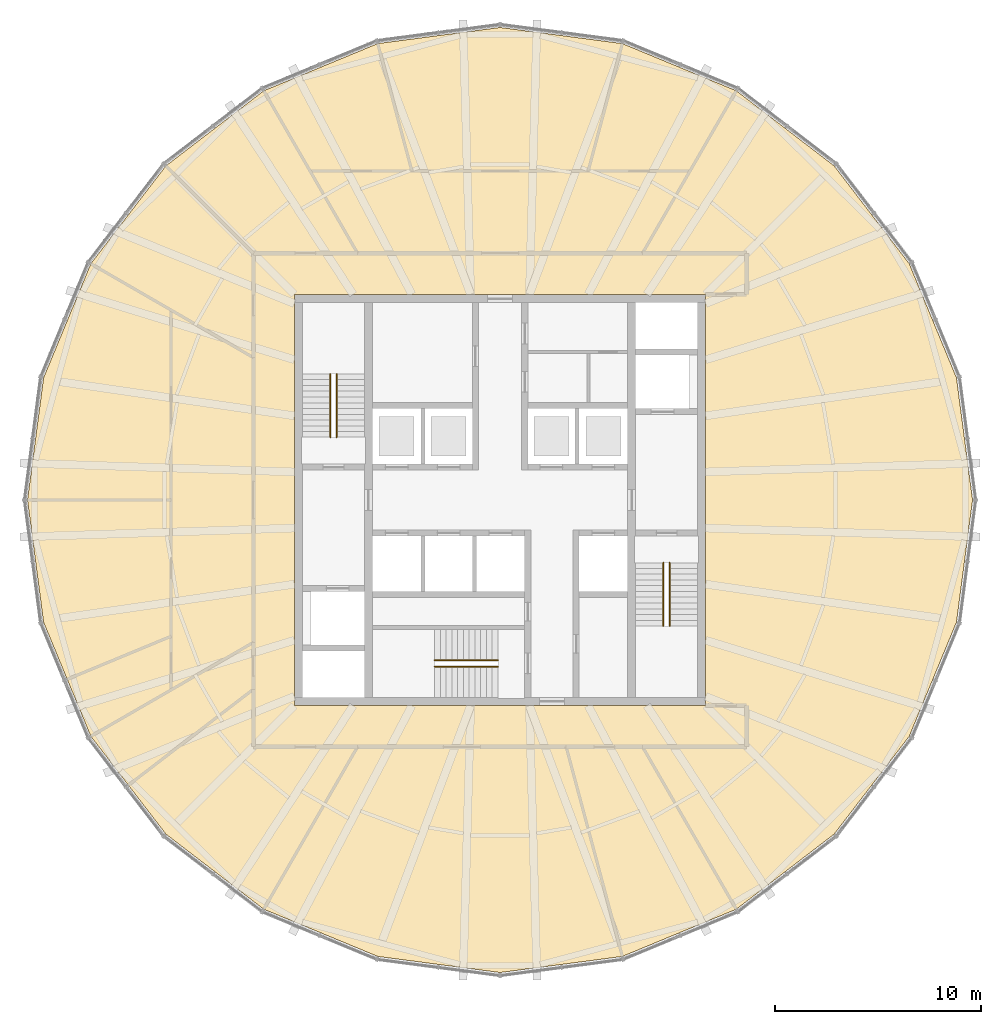
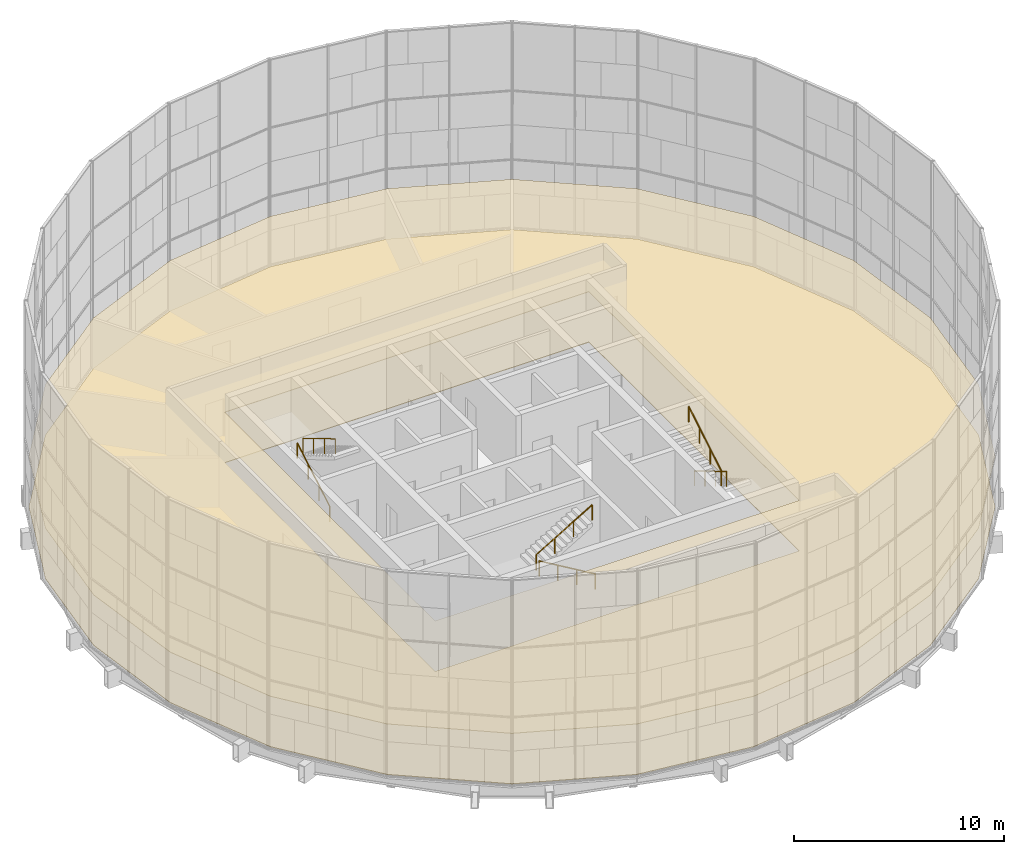
# One storey, part 22 of 23: 6 railings, 2 coverings.
"""IFC4 building model written with IfcOpenShell, lengths in metres."""

from ifc_helpers import new_model, si_unit, direction, frame, origin, origin_2d, place, context, subcontext, project, spatial, polyline, circle, outline, extrude, material, layer, layer_set, type_object, element, save


model = new_model("IFC4")

# Units and contexts
model_context = context("Model", 3, precision=1e-05, world=origin(), true_north=direction((0.0, 1.0)))
body_context = subcontext(model_context, "Body", "Model", "MODEL_VIEW")
ifc_project = project(units=[si_unit("LENGTHUNIT", "METRE"), si_unit("AREAUNIT", "SQUARE_METRE"), si_unit("VOLUMEUNIT", "CUBIC_METRE"), si_unit("PLANEANGLEUNIT", "RADIAN"), si_unit("MASSUNIT", "GRAM", prefix="KILO")], contexts=[model_context])

# Site, building, storey
site_placement = place(None, origin())
site = spatial("IfcSite", under=ifc_project, at=site_placement, CompositionType="ELEMENT")
building_placement = place(site_placement, origin())
building = spatial("IfcBuilding", under=site, at=building_placement, Name="Golbaran Civic Tower", CompositionType="ELEMENT")
storey_placement = place(building_placement, frame((0.0, 0.0, 220.0)))
storey = spatial("IfcBuildingStorey", under=building, at=storey_placement, Name="L53", CompositionType="ELEMENT", Elevation=220.0)

# Covering
ifc_material_1 = material(Name="Perforated aluminium plank on carriers", Category="aluminium")
ifc_layer_1 = layer(ifc_material_1, 0.030029296875, Name="Perforated aluminium plank on carriers")
ifc_layer_set_1 = layer_set([ifc_layer_1], Name="Perforated aluminium plank on carriers")
covering_type_1 = type_object("IfcCoveringType", Name="METAL PLANK CEILING 30", PredefinedType="CEILING", material=ifc_layer_set_1)
covering_1_placement = place(storey_placement, frame((0.0, 0.0, 2.89990234375)))
element("IfcCovering", 1, at=covering_1_placement, inside=storey, type_object=covering_type_1, Name="Suspended ceiling L53", PredefinedType="CEILING", context=body_context, shape_type="SweptSolid", body=[
    extrude(outline(polyline([(-16.252197265625, 16.252197265625), (-11.491943359375, 19.90478515625), (-5.94873046875, 22.200927734375), (0.0, 22.98388671875), (5.94873046875, 22.200927734375), (11.491943359375, 19.90478515625), (16.252197265625, 16.252197265625), (19.90478515625, 11.491943359375), (22.200927734375, 5.94873046875), (22.98388671875, 0.0), (22.200927734375, -5.94873046875), (19.90478515625, -11.491943359375), (16.252197265625, -16.252197265625), (11.491943359375, -19.90478515625), (5.94873046875, -22.200927734375), (0.0, -22.98388671875), (-5.94873046875, -22.200927734375), (-11.491943359375, -19.90478515625), (-16.252197265625, -16.252197265625), (-19.90478515625, -11.491943359375), (-22.200927734375, -5.94873046875), (-22.98388671875, 0.0), (-22.200927734375, 5.94873046875), (-19.90478515625, 11.491943359375), (-16.252197265625, 16.252197265625)]), holes=[polyline([(10.0, -10.0), (10.0, 10.0), (-10.0, 10.0), (-10.0, -10.0), (10.0, -10.0)])]), origin(), (0.0, 0.0, 1.0), 0.030029296875),
])

# Railings
ifc_material_2 = material(Name="Stainless steel", Category="steel")
railing_type = type_object("IfcRailingType", Name="STAIR HANDRAIL 900", PredefinedType="HANDRAIL", material=ifc_material_2)
railing_1_placement = place(storey_placement, frame((-8.25, 3.050048828125, 0.166748046875)))
element("IfcRailing", 2, at=railing_1_placement, inside=storey, type_object=railing_type, Name="Stair S1 handrail flight 1 L53", PredefinedType="HANDRAIL", context=body_context, shape_type="SweptSolid", body=[
    extrude(circle(Radius=0.02392578125, at=origin_2d()), frame((0.0, 0.0, 0.8759765625), z_axis=(0.0, 0.859290745958, 0.51148745235), x_axis=(-1.0, 0.0, 0.0)), (0.0, 0.0, 1.0), 3.584228515625),
    extrude(circle(Radius=0.02099609375, at=origin_2d()), origin(), (0.0, 0.0, 1.0), 0.851806640625),
    extrude(circle(Radius=0.02099609375, at=origin_2d()), frame((0.0, 1.026611328125, 0.611083984375)), (0.0, 0.0, 1.0), 0.851806640625),
    extrude(circle(Radius=0.02099609375, at=origin_2d()), frame((0.0, 2.05322265625, 1.22216796875)), (0.0, 0.0, 1.0), 0.851806640625),
    extrude(circle(Radius=0.02099609375, at=origin_2d()), frame((0.0, 3.079833984375, 1.833251953125)), (0.0, 0.0, 1.0), 0.851806640625),
])
for number, where, name in (
    (3, (-7.949951171875, 6.1298828125, 2.166748046875), "Stair S1 handrail flight 2 L53"),
    (4, (8.25, -3.050048828125, 0.166748046875), "Stair S2 handrail flight 1 L53"),
):
    element("IfcRailing", number, at=place(storey_placement, frame(where)), inside=storey, type_object=railing_type, Name=name, PredefinedType="HANDRAIL", context=body_context, shape_type="SweptSolid", body=[
        extrude(circle(Radius=0.02392578125, at=origin_2d()), frame((0.0, 0.0, 0.8759765625), z_axis=(0.0, -0.859290745958, 0.51148745235), x_axis=(1.0, 0.0, 0.0)), (0.0, 0.0, 1.0), 3.584228515625),
        extrude(circle(Radius=0.02099609375, at=origin_2d()), origin(), (0.0, 0.0, 1.0), 0.851806640625),
        extrude(circle(Radius=0.02099609375, at=origin_2d()), frame((0.0, -1.026611328125, 0.611083984375)), (0.0, 0.0, 1.0), 0.851806640625),
        extrude(circle(Radius=0.02099609375, at=origin_2d()), frame((0.0, -2.05322265625, 1.22216796875)), (0.0, 0.0, 1.0), 0.851806640625),
        extrude(circle(Radius=0.02099609375, at=origin_2d()), frame((0.0, -3.079833984375, 1.833251953125)), (0.0, 0.0, 1.0), 0.851806640625),
    ])
railing_2_placement = place(storey_placement, frame((7.949951171875, -6.1298828125, 2.166748046875)))
element("IfcRailing", 5, at=railing_2_placement, inside=storey, type_object=railing_type, Name="Stair S2 handrail flight 2 L53", PredefinedType="HANDRAIL", context=body_context, shape_type="SweptSolid", body=[
    extrude(circle(Radius=0.02392578125, at=origin_2d()), frame((0.0, 0.0, 0.8759765625), z_axis=(0.0, 0.859290745958, 0.51148745235), x_axis=(-1.0, 0.0, 0.0)), (0.0, 0.0, 1.0), 3.584228515625),
    extrude(circle(Radius=0.02099609375, at=origin_2d()), origin(), (0.0, 0.0, 1.0), 0.851806640625),
    extrude(circle(Radius=0.02099609375, at=origin_2d()), frame((0.0, 1.026611328125, 0.611083984375)), (0.0, 0.0, 1.0), 0.851806640625),
    extrude(circle(Radius=0.02099609375, at=origin_2d()), frame((0.0, 2.05322265625, 1.22216796875)), (0.0, 0.0, 1.0), 0.851806640625),
    extrude(circle(Radius=0.02099609375, at=origin_2d()), frame((0.0, 3.079833984375, 1.833251953125)), (0.0, 0.0, 1.0), 0.851806640625),
])
railing_3_placement = place(storey_placement, frame((-0.10009765625, -8.10009765625, 0.166748046875)))
element("IfcRailing", 6, at=railing_3_placement, inside=storey, type_object=railing_type, Name="Stair S3 handrail flight 1 L53", PredefinedType="HANDRAIL", context=body_context, shape_type="SweptSolid", body=[
    extrude(circle(Radius=0.02392578125, at=origin_2d()), frame((0.0, 0.0, 0.8759765625), z_axis=(-0.859290745958, 0.0, 0.51148745235), x_axis=(0.0, -1.0, 0.0)), (0.0, 0.0, 1.0), 3.584228515625),
    extrude(circle(Radius=0.02099609375, at=origin_2d()), origin(), (0.0, 0.0, 1.0), 0.851806640625),
    extrude(circle(Radius=0.02099609375, at=origin_2d()), frame((-1.026611328125, 0.0, 0.611083984375)), (0.0, 0.0, 1.0), 0.851806640625),
    extrude(circle(Radius=0.02099609375, at=origin_2d()), frame((-2.05322265625, 0.0, 1.22216796875)), (0.0, 0.0, 1.0), 0.851806640625),
    extrude(circle(Radius=0.02099609375, at=origin_2d()), frame((-3.079833984375, 0.0, 1.833251953125)), (0.0, 0.0, 1.0), 0.851806640625),
])
railing_4_placement = place(storey_placement, frame((-3.179931640625, -7.800048828125, 2.166748046875)))
element("IfcRailing", 7, at=railing_4_placement, inside=storey, type_object=railing_type, Name="Stair S3 handrail flight 2 L53", PredefinedType="HANDRAIL", context=body_context, shape_type="SweptSolid", body=[
    extrude(circle(Radius=0.02392578125, at=origin_2d()), frame((0.0, 0.0, 0.8759765625), z_axis=(0.859290745958, 0.0, 0.51148745235), x_axis=(0.0, 1.0, 0.0)), (0.0, 0.0, 1.0), 3.584228515625),
    extrude(circle(Radius=0.02099609375, at=origin_2d()), origin(), (0.0, 0.0, 1.0), 0.851806640625),
    extrude(circle(Radius=0.02099609375, at=origin_2d()), frame((1.026611328125, 0.0, 0.611083984375)), (0.0, 0.0, 1.0), 0.851806640625),
    extrude(circle(Radius=0.02099609375, at=origin_2d()), frame((2.05322265625, 0.0, 1.22216796875)), (0.0, 0.0, 1.0), 0.851806640625),
    extrude(circle(Radius=0.02099609375, at=origin_2d()), frame((3.079833984375, 0.0, 1.833251953125)), (0.0, 0.0, 1.0), 0.851806640625),
])

# Covering
ifc_material_3 = material(Name="Travertine tile on mortar bed", Category="masonry")
ifc_layer_2 = layer(ifc_material_3, 0.030029296875, Name="Travertine tile on mortar bed")
ifc_layer_set_2 = layer_set([ifc_layer_2], Name="Travertine tile on mortar bed")
covering_type_2 = type_object("IfcCoveringType", Name="STONE FLOOR FINISH 30", PredefinedType="FLOORING", material=ifc_layer_set_2)
covering_2_placement = place(storey_placement, frame((0.0, 0.0, -0.030029296875)))
element("IfcCovering", 8, at=covering_2_placement, inside=storey, type_object=covering_type_2, Name="Stone floor finish L53", PredefinedType="FLOORING", context=body_context, shape_type="SweptSolid", body=[
    extrude(outline(polyline([(-16.252197265625, 16.252197265625), (-11.491943359375, 19.90478515625), (-5.94873046875, 22.200927734375), (0.0, 22.98388671875), (5.94873046875, 22.200927734375), (11.491943359375, 19.90478515625), (16.252197265625, 16.252197265625), (19.90478515625, 11.491943359375), (22.200927734375, 5.94873046875), (22.98388671875, 0.0), (22.200927734375, -5.94873046875), (19.90478515625, -11.491943359375), (16.252197265625, -16.252197265625), (11.491943359375, -19.90478515625), (5.94873046875, -22.200927734375), (0.0, -22.98388671875), (-5.94873046875, -22.200927734375), (-11.491943359375, -19.90478515625), (-16.252197265625, -16.252197265625), (-19.90478515625, -11.491943359375), (-22.200927734375, -5.94873046875), (-22.98388671875, 0.0), (-22.200927734375, 5.94873046875), (-19.90478515625, 11.491943359375), (-16.252197265625, 16.252197265625)]), holes=[polyline([(10.0, -10.0), (10.0, 10.0), (-10.0, 10.0), (-10.0, -10.0), (10.0, -10.0)])]), origin(), (0.0, 0.0, 1.0), 0.030029296875),
])

save(model, "model.ifc")
